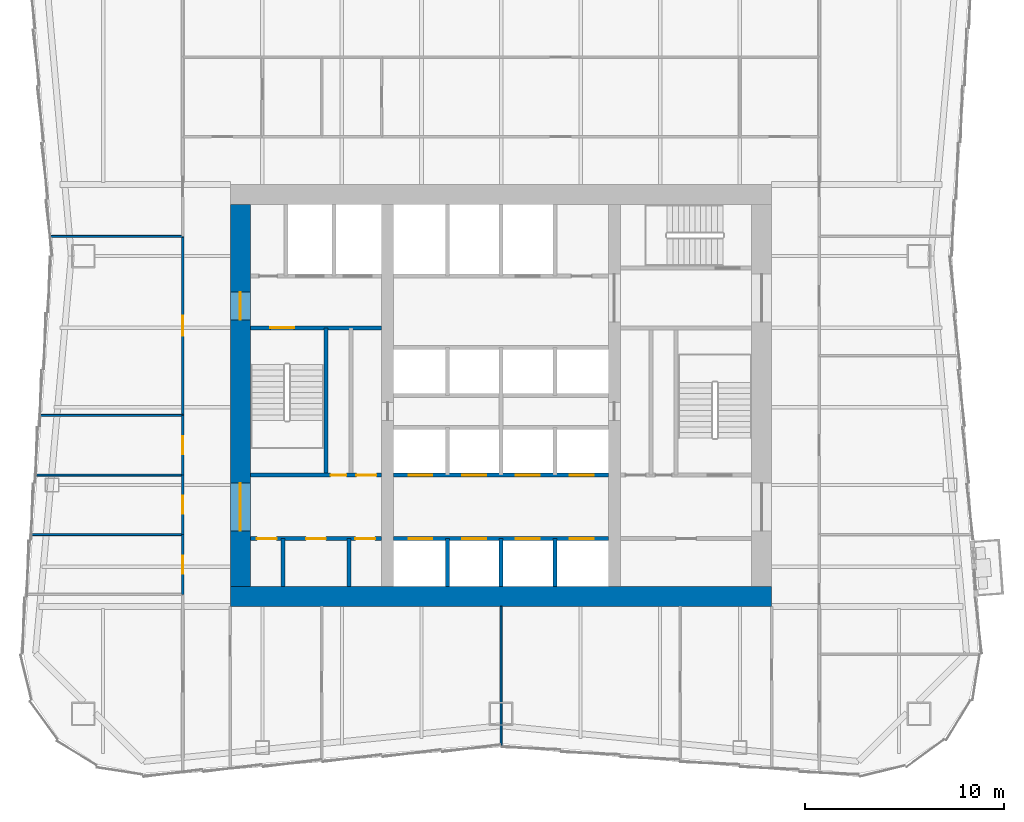
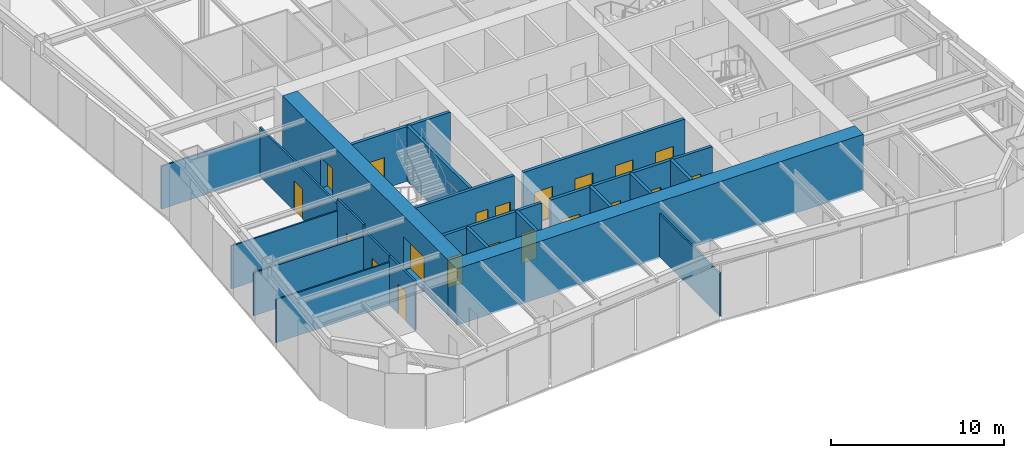
# One storey, part 4 of 9: 22 walls, 20 doors, 20 openings.
"""IFC4 building model written with IfcOpenShell, lengths in metres."""

from ifc_helpers import new_model, si_unit, direction, frame, frame_2d, origin, place, context, subcontext, project, spatial, rectangle, extrude, material, layer, layer_set, type_object, element, fill, save


model = new_model("IFC4")

# Units and contexts
model_context = context("Model", 3, precision=1e-05, world=origin(), true_north=direction((0.0, 1.0)))
body_context = subcontext(model_context, "Body", "Model", "MODEL_VIEW")
ifc_project = project(units=[si_unit("LENGTHUNIT", "METRE"), si_unit("AREAUNIT", "SQUARE_METRE"), si_unit("VOLUMEUNIT", "CUBIC_METRE"), si_unit("PLANEANGLEUNIT", "RADIAN"), si_unit("MASSUNIT", "GRAM", prefix="KILO")], contexts=[model_context])

# Site, building, storey
site_placement = place(None, origin())
site = spatial("IfcSite", under=ifc_project, at=site_placement, CompositionType="ELEMENT")
building_placement = place(site_placement, origin())
building = spatial("IfcBuilding", under=site, at=building_placement, Name="Verdant Reach Tower", CompositionType="ELEMENT")
storey_placement = place(building_placement, frame((0.0, 0.0, 130.0)))
storey = spatial("IfcBuildingStorey", under=building, at=storey_placement, Name="L29", CompositionType="ELEMENT", Elevation=130.0)

# Wall, openings, doors
ifc_material_1 = material(Name="Gypsum board on steel studs", Category="steel")
ifc_layer_1 = layer(ifc_material_1, 0.199951171875)
ifc_layer_set_1 = layer_set([ifc_layer_1], Name="CO-WALL-ROOM")
wall_type_1 = type_object("IfcWallType", Name="CO-WALL-ROOM", PredefinedType="PARTITIONING", material=ifc_layer_set_1)
wall_1_placement = place(storey_placement, frame((-12.60009765625, 20.800048828125, 0.0), z_axis=(0.0, 0.0, 1.0), x_axis=(1.0, 0.0, 0.0)))
wall_1 = element("IfcWall", 1, at=wall_1_placement, inside=storey, type_object=wall_type_1, Name="Core partition, L29", PredefinedType="PARTITIONING", context=body_context, shape_type="SweptSolid", body=[
    extrude(rectangle(XDim=6.60009765625, YDim=0.199951171875, at=frame_2d((3.300048828125, 0.0))), origin(), (0.0, 0.0, 1.0), 3.8701171875),
])
opening_1_placement = place(wall_1_placement, frame((0.324951171875, 0.0, 0.0)))
opening_1 = element("IfcOpeningElement", 2, at=opening_1_placement, cuts=wall_1, Name="Opening CD", PredefinedType="OPENING", context=body_context, shape_type="SweptSolid", body=[
    extrude(rectangle(XDim=1.0, YDim=2.10009765625, at=frame_2d((0.5, 1.050048828125))), frame((0.0, 0.10986328125, 0.0), z_axis=(0.0, -1.0, 0.0), x_axis=(1.0, 0.0, 0.0)), (0.0, 0.0, 1.0), 0.219970703125),
])
opening_2_placement = place(wall_1_placement, frame((2.800048828125, 0.0, 0.0)))
opening_2 = element("IfcOpeningElement", 3, at=opening_2_placement, cuts=wall_1, Name="Opening CD", PredefinedType="OPENING", context=body_context, shape_type="SweptSolid", body=[
    extrude(rectangle(XDim=1.0, YDim=2.10009765625, at=frame_2d((0.5, 1.050048828125))), frame((0.0, 0.10986328125, 0.0), z_axis=(0.0, -1.0, 0.0), x_axis=(1.0, 0.0, 0.0)), (0.0, 0.0, 1.0), 0.219970703125),
])
opening_3_placement = place(wall_1_placement, frame((5.27490234375, 0.0, 0.0)))
opening_3 = element("IfcOpeningElement", 4, at=opening_3_placement, cuts=wall_1, Name="Opening CD", PredefinedType="OPENING", context=body_context, shape_type="SweptSolid", body=[
    extrude(rectangle(XDim=1.0, YDim=2.10009765625, at=frame_2d((0.5, 1.050048828125))), frame((0.0, 0.10986328125, 0.0), z_axis=(0.0, -1.0, 0.0), x_axis=(1.0, 0.0, 0.0)), (0.0, 0.0, 1.0), 0.219970703125),
])
ifc_material_2 = material(Name="Timber", Category="wood")
door_type_1 = type_object("IfcDoorType", Name="CO-DOOR-ROOM", OperationType="NOTDEFINED", PredefinedType="DOOR", material=ifc_material_2)
door_1_placement = place(opening_1_placement, origin())
door_1 = element("IfcDoor", 5, at=door_1_placement, inside=storey, type_object=door_type_1, Name="Core room door, L29", OperationType="SINGLE_SWING_RIGHT", OverallHeight=2.10009765625, OverallWidth=1.0, PredefinedType="DOOR", context=body_context, shape_type="SweptSolid", body=[
    extrude(rectangle(XDim=1.0, YDim=2.10009765625, at=frame_2d((0.5, 1.050048828125))), frame((0.0, 0.02490234375, 0.0), z_axis=(0.0, -1.0, 0.0), x_axis=(1.0, 0.0, 0.0)), (0.0, 0.0, 1.0), 0.050048828125),
])
fill(opening_1, door_1)
door_2_placement = place(opening_2_placement, origin())
door_2 = element("IfcDoor", 6, at=door_2_placement, inside=storey, type_object=door_type_1, Name="Core room door, L29", OperationType="SINGLE_SWING_RIGHT", OverallHeight=2.10009765625, OverallWidth=1.0, PredefinedType="DOOR", context=body_context, shape_type="SweptSolid", body=[
    extrude(rectangle(XDim=1.0, YDim=2.10009765625, at=frame_2d((0.5, 1.050048828125))), frame((0.0, 0.02490234375, 0.0), z_axis=(0.0, -1.0, 0.0), x_axis=(1.0, 0.0, 0.0)), (0.0, 0.0, 1.0), 0.050048828125),
])
fill(opening_2, door_2)
door_3_placement = place(opening_3_placement, origin())
door_3 = element("IfcDoor", 7, at=door_3_placement, inside=storey, type_object=door_type_1, Name="Core room door, L29", OperationType="SINGLE_SWING_RIGHT", OverallHeight=2.10009765625, OverallWidth=1.0, PredefinedType="DOOR", context=body_context, shape_type="SweptSolid", body=[
    extrude(rectangle(XDim=1.0, YDim=2.10009765625, at=frame_2d((0.5, 1.050048828125))), frame((0.0, 0.02490234375, 0.0), z_axis=(0.0, -1.0, 0.0), x_axis=(1.0, 0.0, 0.0)), (0.0, 0.0, 1.0), 0.050048828125),
])
fill(opening_3, door_3)

# Walls
for number, where, z_axis, x_axis, name in (
    (8, (-10.949951171875, 18.39990234375, 0.0), (0.0, 0.0, 1.0), (0.0, 1.0, 0.0), "Core partition, L29"),
    (9, (-7.64990234375, 18.39990234375, 0.0), (0.0, 0.0, 1.0), (0.0, 1.0, 0.0), "Core partition, L29"),
):
    element("IfcWall", number, at=place(storey_placement, frame(where, z_axis=z_axis, x_axis=x_axis)), inside=storey, type_object=wall_type_1, Name=name, PredefinedType="PARTITIONING", context=body_context, shape_type="SweptSolid", body=[
        extrude(rectangle(XDim=2.400146484375, YDim=0.199951171875, at=frame_2d((1.2001953125, 0.0))), origin(), (0.0, 0.0, 1.0), 3.8701171875),
    ])

# Wall, openings, doors
ifc_material_3 = material(Name="Concrete C40/50", Category="concrete")
ifc_layer_2 = layer(ifc_material_3, 0.199951171875)
ifc_layer_set_2 = layer_set([ifc_layer_2], Name="CO-WALL-SHAFT")
wall_type_2 = type_object("IfcWallType", Name="CO-WALL-SHAFT", PredefinedType="PARTITIONING", material=ifc_layer_set_2)
wall_2_placement = place(storey_placement, frame((-5.39990234375, 20.800048828125, 0.0), z_axis=(0.0, 0.0, 1.0), x_axis=(1.0, 0.0, 0.0)))
wall_2 = element("IfcWall", 10, at=wall_2_placement, inside=storey, type_object=wall_type_2, Name="Lift shaft wall, L29", PredefinedType="PARTITIONING", context=body_context, shape_type="SweptSolid", body=[
    extrude(rectangle(XDim=10.7998046875, YDim=0.199951171875, at=frame_2d((5.39990234375, 0.0))), origin(), (0.0, 0.0, 1.0), 3.8701171875),
])
opening_4_placement = place(wall_2_placement, frame((0.75, 0.0, 0.0)))
opening_4 = element("IfcOpeningElement", 11, at=opening_4_placement, cuts=wall_2, Name="Opening LD-A1", PredefinedType="OPENING", context=body_context, shape_type="SweptSolid", body=[
    extrude(rectangle(XDim=1.199951171875, YDim=2.199951171875, at=frame_2d((0.60009765625, 1.10009765625))), frame((0.0, 0.10986328125, 0.0), z_axis=(0.0, -1.0, 0.0), x_axis=(1.0, 0.0, 0.0)), (0.0, 0.0, 1.0), 0.219970703125),
])
opening_5_placement = place(wall_2_placement, frame((3.449951171875, 0.0, 0.0)))
opening_5 = element("IfcOpeningElement", 12, at=opening_5_placement, cuts=wall_2, Name="Opening LD-A2", PredefinedType="OPENING", context=body_context, shape_type="SweptSolid", body=[
    extrude(rectangle(XDim=1.199951171875, YDim=2.199951171875, at=frame_2d((0.60009765625, 1.10009765625))), frame((0.0, 0.10986328125, 0.0), z_axis=(0.0, -1.0, 0.0), x_axis=(1.0, 0.0, 0.0)), (0.0, 0.0, 1.0), 0.219970703125),
])
opening_6_placement = place(wall_2_placement, frame((6.14990234375, 0.0, 0.0)))
opening_6 = element("IfcOpeningElement", 13, at=opening_6_placement, cuts=wall_2, Name="Opening LD-A3", PredefinedType="OPENING", context=body_context, shape_type="SweptSolid", body=[
    extrude(rectangle(XDim=1.199951171875, YDim=2.199951171875, at=frame_2d((0.60009765625, 1.10009765625))), frame((0.0, 0.10986328125, 0.0), z_axis=(0.0, -1.0, 0.0), x_axis=(1.0, 0.0, 0.0)), (0.0, 0.0, 1.0), 0.219970703125),
])
opening_7_placement = place(wall_2_placement, frame((8.85009765625, 0.0, 0.0)))
opening_7 = element("IfcOpeningElement", 14, at=opening_7_placement, cuts=wall_2, Name="Opening LD-A4", PredefinedType="OPENING", context=body_context, shape_type="SweptSolid", body=[
    extrude(rectangle(XDim=1.199951171875, YDim=2.199951171875, at=frame_2d((0.60009765625, 1.10009765625))), frame((0.0, 0.10986328125, 0.0), z_axis=(0.0, -1.0, 0.0), x_axis=(1.0, 0.0, 0.0)), (0.0, 0.0, 1.0), 0.219970703125),
])
ifc_material_4 = material(Name="Stainless steel", Category="steel")
door_type_2 = type_object("IfcDoorType", Name="CO-DOOR-LANDING", OperationType="SLIDING_TO_LEFT", PredefinedType="DOOR", material=ifc_material_4)
door_4_placement = place(opening_4_placement, origin())
door_4 = element("IfcDoor", 15, at=door_4_placement, inside=storey, type_object=door_type_2, Name="Landing door A1, L29", OperationType="SLIDING_TO_LEFT", OverallHeight=2.199951171875, OverallWidth=1.199951171875, PredefinedType="DOOR", context=body_context, shape_type="SweptSolid", body=[
    extrude(rectangle(XDim=1.199951171875, YDim=2.199951171875, at=frame_2d((0.60009765625, 1.10009765625))), frame((0.0, 0.02490234375, 0.0), z_axis=(0.0, -1.0, 0.0), x_axis=(1.0, 0.0, 0.0)), (0.0, 0.0, 1.0), 0.050048828125),
])
fill(opening_4, door_4)
door_5_placement = place(opening_5_placement, origin())
door_5 = element("IfcDoor", 16, at=door_5_placement, inside=storey, type_object=door_type_2, Name="Landing door A2, L29", OperationType="SLIDING_TO_LEFT", OverallHeight=2.199951171875, OverallWidth=1.199951171875, PredefinedType="DOOR", context=body_context, shape_type="SweptSolid", body=[
    extrude(rectangle(XDim=1.199951171875, YDim=2.199951171875, at=frame_2d((0.60009765625, 1.10009765625))), frame((0.0, 0.02490234375, 0.0), z_axis=(0.0, -1.0, 0.0), x_axis=(1.0, 0.0, 0.0)), (0.0, 0.0, 1.0), 0.050048828125),
])
fill(opening_5, door_5)
door_6_placement = place(opening_6_placement, origin())
door_6 = element("IfcDoor", 17, at=door_6_placement, inside=storey, type_object=door_type_2, Name="Landing door A3, L29", OperationType="SLIDING_TO_LEFT", OverallHeight=2.199951171875, OverallWidth=1.199951171875, PredefinedType="DOOR", context=body_context, shape_type="SweptSolid", body=[
    extrude(rectangle(XDim=1.199951171875, YDim=2.199951171875, at=frame_2d((0.60009765625, 1.10009765625))), frame((0.0, 0.02490234375, 0.0), z_axis=(0.0, -1.0, 0.0), x_axis=(1.0, 0.0, 0.0)), (0.0, 0.0, 1.0), 0.050048828125),
])
fill(opening_6, door_6)
door_7_placement = place(opening_7_placement, origin())
door_7 = element("IfcDoor", 18, at=door_7_placement, inside=storey, type_object=door_type_2, Name="Landing door A4, L29", OperationType="SLIDING_TO_LEFT", OverallHeight=2.199951171875, OverallWidth=1.199951171875, PredefinedType="DOOR", context=body_context, shape_type="SweptSolid", body=[
    extrude(rectangle(XDim=1.199951171875, YDim=2.199951171875, at=frame_2d((0.60009765625, 1.10009765625))), frame((0.0, 0.02490234375, 0.0), z_axis=(0.0, -1.0, 0.0), x_axis=(1.0, 0.0, 0.0)), (0.0, 0.0, 1.0), 0.050048828125),
])
fill(opening_7, door_7)

wall_3_placement = place(storey_placement, frame((-5.39990234375, 24.0, 0.0), z_axis=(0.0, 0.0, 1.0), x_axis=(1.0, 0.0, 0.0)))
wall_3 = element("IfcWall", 19, at=wall_3_placement, inside=storey, type_object=wall_type_2, Name="Lift shaft wall, L29", PredefinedType="PARTITIONING", context=body_context, shape_type="SweptSolid", body=[
    extrude(rectangle(XDim=10.7998046875, YDim=0.199951171875, at=frame_2d((5.39990234375, 0.0))), origin(), (0.0, 0.0, 1.0), 3.8701171875),
])
opening_8_placement = place(wall_3_placement, frame((0.75, 0.0, 0.0)))
opening_8 = element("IfcOpeningElement", 20, at=opening_8_placement, cuts=wall_3, Name="Opening LD-A5", PredefinedType="OPENING", context=body_context, shape_type="SweptSolid", body=[
    extrude(rectangle(XDim=1.199951171875, YDim=2.199951171875, at=frame_2d((0.60009765625, 1.10009765625))), frame((0.0, 0.10986328125, 0.0), z_axis=(0.0, -1.0, 0.0), x_axis=(1.0, 0.0, 0.0)), (0.0, 0.0, 1.0), 0.219970703125),
])
opening_9_placement = place(wall_3_placement, frame((3.449951171875, 0.0, 0.0)))
opening_9 = element("IfcOpeningElement", 21, at=opening_9_placement, cuts=wall_3, Name="Opening LD-A6", PredefinedType="OPENING", context=body_context, shape_type="SweptSolid", body=[
    extrude(rectangle(XDim=1.199951171875, YDim=2.199951171875, at=frame_2d((0.60009765625, 1.10009765625))), frame((0.0, 0.10986328125, 0.0), z_axis=(0.0, -1.0, 0.0), x_axis=(1.0, 0.0, 0.0)), (0.0, 0.0, 1.0), 0.219970703125),
])
opening_10_placement = place(wall_3_placement, frame((6.14990234375, 0.0, 0.0)))
opening_10 = element("IfcOpeningElement", 22, at=opening_10_placement, cuts=wall_3, Name="Opening LD-A7", PredefinedType="OPENING", context=body_context, shape_type="SweptSolid", body=[
    extrude(rectangle(XDim=1.199951171875, YDim=2.199951171875, at=frame_2d((0.60009765625, 1.10009765625))), frame((0.0, 0.10986328125, 0.0), z_axis=(0.0, -1.0, 0.0), x_axis=(1.0, 0.0, 0.0)), (0.0, 0.0, 1.0), 0.219970703125),
])
opening_11_placement = place(wall_3_placement, frame((8.85009765625, 0.0, 0.0)))
opening_11 = element("IfcOpeningElement", 23, at=opening_11_placement, cuts=wall_3, Name="Opening LD-A8", PredefinedType="OPENING", context=body_context, shape_type="SweptSolid", body=[
    extrude(rectangle(XDim=1.199951171875, YDim=2.199951171875, at=frame_2d((0.60009765625, 1.10009765625))), frame((0.0, 0.10986328125, 0.0), z_axis=(0.0, -1.0, 0.0), x_axis=(1.0, 0.0, 0.0)), (0.0, 0.0, 1.0), 0.219970703125),
])
door_8_placement = place(opening_8_placement, origin())
door_8 = element("IfcDoor", 24, at=door_8_placement, inside=storey, type_object=door_type_2, Name="Landing door A5, L29", OperationType="SLIDING_TO_LEFT", OverallHeight=2.199951171875, OverallWidth=1.199951171875, PredefinedType="DOOR", context=body_context, shape_type="SweptSolid", body=[
    extrude(rectangle(XDim=1.199951171875, YDim=2.199951171875, at=frame_2d((0.60009765625, 1.10009765625))), frame((0.0, 0.02490234375, 0.0), z_axis=(0.0, -1.0, 0.0), x_axis=(1.0, 0.0, 0.0)), (0.0, 0.0, 1.0), 0.050048828125),
])
fill(opening_8, door_8)
door_9_placement = place(opening_9_placement, origin())
door_9 = element("IfcDoor", 25, at=door_9_placement, inside=storey, type_object=door_type_2, Name="Landing door A6, L29", OperationType="SLIDING_TO_LEFT", OverallHeight=2.199951171875, OverallWidth=1.199951171875, PredefinedType="DOOR", context=body_context, shape_type="SweptSolid", body=[
    extrude(rectangle(XDim=1.199951171875, YDim=2.199951171875, at=frame_2d((0.60009765625, 1.10009765625))), frame((0.0, 0.02490234375, 0.0), z_axis=(0.0, -1.0, 0.0), x_axis=(1.0, 0.0, 0.0)), (0.0, 0.0, 1.0), 0.050048828125),
])
fill(opening_9, door_9)
door_10_placement = place(opening_10_placement, origin())
door_10 = element("IfcDoor", 26, at=door_10_placement, inside=storey, type_object=door_type_2, Name="Landing door A7, L29", OperationType="SLIDING_TO_LEFT", OverallHeight=2.199951171875, OverallWidth=1.199951171875, PredefinedType="DOOR", context=body_context, shape_type="SweptSolid", body=[
    extrude(rectangle(XDim=1.199951171875, YDim=2.199951171875, at=frame_2d((0.60009765625, 1.10009765625))), frame((0.0, 0.02490234375, 0.0), z_axis=(0.0, -1.0, 0.0), x_axis=(1.0, 0.0, 0.0)), (0.0, 0.0, 1.0), 0.050048828125),
])
fill(opening_10, door_10)
door_11_placement = place(opening_11_placement, origin())
door_11 = element("IfcDoor", 27, at=door_11_placement, inside=storey, type_object=door_type_2, Name="Landing door A8, L29", OperationType="SLIDING_TO_LEFT", OverallHeight=2.199951171875, OverallWidth=1.199951171875, PredefinedType="DOOR", context=body_context, shape_type="SweptSolid", body=[
    extrude(rectangle(XDim=1.199951171875, YDim=2.199951171875, at=frame_2d((0.60009765625, 1.10009765625))), frame((0.0, 0.02490234375, 0.0), z_axis=(0.0, -1.0, 0.0), x_axis=(1.0, 0.0, 0.0)), (0.0, 0.0, 1.0), 0.050048828125),
])
fill(opening_11, door_11)

# Walls
for number, where, z_axis, x_axis, name in (
    (28, (-2.699951171875, 18.39990234375, 0.0), (0.0, 0.0, 1.0), (0.0, 1.0, 0.0), "Lift shaft wall, L29"),
    (29, (0.0, 18.39990234375, 0.0), (0.0, 0.0, 1.0), (0.0, 1.0, 0.0), "Lift shaft wall, L29"),
    (30, (2.699951171875, 18.39990234375, 0.0), (0.0, 0.0, 1.0), (0.0, 1.0, 0.0), "Lift shaft wall, L29"),
):
    element("IfcWall", number, at=place(storey_placement, frame(where, z_axis=z_axis, x_axis=x_axis)), inside=storey, type_object=wall_type_2, Name=name, PredefinedType="PARTITIONING", context=body_context, shape_type="SweptSolid", body=[
        extrude(rectangle(XDim=2.400146484375, YDim=0.199951171875, at=frame_2d((1.2001953125, 0.0))), origin(), (0.0, 0.0, 1.0), 3.8701171875),
    ])

# Wall, openings, doors
ifc_layer_3 = layer(ifc_material_3, 0.199951171875)
ifc_layer_set_3 = layer_set([ifc_layer_3], Name="CO-WALL-STAIR")
wall_type_3 = type_object("IfcWallType", Name="CO-WALL-STAIR", PredefinedType="PARTITIONING", material=ifc_layer_set_3)
wall_4_placement = place(storey_placement, frame((-12.60009765625, 24.0, 0.0), z_axis=(0.0, 0.0, 1.0), x_axis=(1.0, 0.0, 0.0)))
wall_4 = element("IfcWall", 31, at=wall_4_placement, inside=storey, type_object=wall_type_3, Name="Stair enclosure wall, L29", PredefinedType="PARTITIONING", context=body_context, shape_type="SweptSolid", body=[
    extrude(rectangle(XDim=6.60009765625, YDim=0.199951171875, at=frame_2d((3.300048828125, 0.0))), origin(), (0.0, 0.0, 1.0), 3.8701171875),
])
opening_12_placement = place(wall_4_placement, frame((4.030029296875, 0.0, 0.0)))
opening_12 = element("IfcOpeningElement", 32, at=opening_12_placement, cuts=wall_4, Name="Opening CDN", PredefinedType="OPENING", context=body_context, shape_type="SweptSolid", body=[
    extrude(rectangle(XDim=0.800048828125, YDim=2.10009765625, at=frame_2d((0.39990234375, 1.050048828125))), frame((0.0, 0.10986328125, 0.0), z_axis=(0.0, -1.0, 0.0), x_axis=(1.0, 0.0, 0.0)), (0.0, 0.0, 1.0), 0.219970703125),
])
opening_13_placement = place(wall_4_placement, frame((5.330078125, 0.0, 0.0)))
opening_13 = element("IfcOpeningElement", 33, at=opening_13_placement, cuts=wall_4, Name="Opening CD", PredefinedType="OPENING", context=body_context, shape_type="SweptSolid", body=[
    extrude(rectangle(XDim=1.0, YDim=2.10009765625, at=frame_2d((0.5, 1.050048828125))), frame((0.0, 0.10986328125, 0.0), z_axis=(0.0, -1.0, 0.0), x_axis=(1.0, 0.0, 0.0)), (0.0, 0.0, 1.0), 0.219970703125),
])
door_12_placement = place(opening_13_placement, origin())
door_12 = element("IfcDoor", 34, at=door_12_placement, inside=storey, type_object=door_type_1, Name="Core room door, L29", OperationType="SINGLE_SWING_LEFT", OverallHeight=2.10009765625, OverallWidth=1.0, PredefinedType="DOOR", context=body_context, shape_type="SweptSolid", body=[
    extrude(rectangle(XDim=1.0, YDim=2.10009765625, at=frame_2d((0.5, 1.050048828125))), frame((0.0, 0.02490234375, 0.0), z_axis=(0.0, -1.0, 0.0), x_axis=(1.0, 0.0, 0.0)), (0.0, 0.0, 1.0), 0.050048828125),
])
fill(opening_13, door_12)
door_type_3 = type_object("IfcDoorType", Name="CO-DOOR-ROOM-NARROW", OperationType="NOTDEFINED", PredefinedType="DOOR", material=ifc_material_2)
door_13_placement = place(opening_12_placement, origin())
door_13 = element("IfcDoor", 35, at=door_13_placement, inside=storey, type_object=door_type_3, Name="Core room door, L29", OperationType="SINGLE_SWING_RIGHT", OverallHeight=2.10009765625, OverallWidth=0.800048828125, PredefinedType="DOOR", context=body_context, shape_type="SweptSolid", body=[
    extrude(rectangle(XDim=0.800048828125, YDim=2.10009765625, at=frame_2d((0.39990234375, 1.050048828125))), frame((0.0, 0.02490234375, 0.0), z_axis=(0.0, -1.0, 0.0), x_axis=(1.0, 0.0, 0.0)), (0.0, 0.0, 1.0), 0.050048828125),
])
fill(opening_12, door_13)

# Wall, opening, door
wall_5_placement = place(storey_placement, frame((-12.60009765625, 31.39990234375, 0.0), z_axis=(0.0, 0.0, 1.0), x_axis=(1.0, 0.0, 0.0)))
wall_5 = element("IfcWall", 36, at=wall_5_placement, inside=storey, type_object=wall_type_3, Name="Stair enclosure wall, L29", PredefinedType="PARTITIONING", context=body_context, shape_type="SweptSolid", body=[
    extrude(rectangle(XDim=6.60009765625, YDim=0.199951171875, at=frame_2d((3.300048828125, 0.0))), origin(), (0.0, 0.0, 1.0), 3.8701171875),
])
opening_14_placement = place(wall_5_placement, frame((1.0, 0.0, 0.0)))
opening_14 = element("IfcOpeningElement", 37, at=opening_14_placement, cuts=wall_5, Name="Opening SD", PredefinedType="OPENING", context=body_context, shape_type="SweptSolid", body=[
    extrude(rectangle(XDim=1.199951171875, YDim=2.199951171875, at=frame_2d((0.60009765625, 1.10009765625))), frame((0.0, 0.10986328125, 0.0), z_axis=(0.0, -1.0, 0.0), x_axis=(1.0, 0.0, 0.0)), (0.0, 0.0, 1.0), 0.219970703125),
])
ifc_material_5 = material(Name="Steel", Category="steel")
door_type_4 = type_object("IfcDoorType", Name="CO-DOOR-STAIR", OperationType="NOTDEFINED", PredefinedType="DOOR", material=ifc_material_5)
door_14_placement = place(opening_14_placement, origin())
door_14 = element("IfcDoor", 38, at=door_14_placement, inside=storey, type_object=door_type_4, Name="Stair door, L29", OperationType="SINGLE_SWING_LEFT", OverallHeight=2.199951171875, OverallWidth=1.199951171875, PredefinedType="DOOR", context=body_context, shape_type="SweptSolid", body=[
    extrude(rectangle(XDim=1.199951171875, YDim=2.199951171875, at=frame_2d((0.60009765625, 1.10009765625))), frame((0.0, 0.02490234375, 0.0), z_axis=(0.0, -1.0, 0.0), x_axis=(1.0, 0.0, 0.0)), (0.0, 0.0, 1.0), 0.050048828125),
])
fill(opening_14, door_14)

# Walls
wall_6_placement = place(storey_placement, frame((-8.800048828125, 24.0, 0.0), z_axis=(0.0, 0.0, 1.0), x_axis=(0.0, 1.0, 0.0)))
element("IfcWall", 39, at=wall_6_placement, inside=storey, type_object=wall_type_3, Name="Stair enclosure wall, L29", PredefinedType="PARTITIONING", context=body_context, shape_type="SweptSolid", body=[
    extrude(rectangle(XDim=7.39990234375, YDim=0.199951171875, at=frame_2d((3.699951171875, 0.0))), origin(), (0.0, 0.0, 1.0), 3.8701171875),
])
ifc_layer_4 = layer(ifc_material_1, 0.10009765625)
ifc_layer_set_4 = layer_set([ifc_layer_4], Name="FL-W1 Partition 100")
wall_type_4 = type_object("IfcWallType", Name="FL-W1 Partition 100", PredefinedType="PARTITIONING", material=ifc_layer_set_4)
wall_7_placement = place(storey_placement, frame((-16.0, 21.0, 0.0), z_axis=(0.0, 0.0, 1.0), x_axis=(-1.0, 0.0, 0.0)))
element("IfcWall", 40, at=wall_7_placement, inside=storey, type_object=wall_type_4, Name="Partition 29.20", PredefinedType="PARTITIONING", context=body_context, shape_type="SweptSolid", body=[
    extrude(rectangle(XDim=7.6298828125, YDim=0.10009765625, at=frame_2d((3.81494140625, 0.0))), origin(), (0.0, 0.0, 1.0), 3.0400390625),
])
wall_8_placement = place(storey_placement, frame((-16.0, 24.0, 0.0), z_axis=(0.0, 0.0, 1.0), x_axis=(-1.0, 0.0, 0.0)))
element("IfcWall", 41, at=wall_8_placement, inside=storey, type_object=wall_type_4, Name="Partition 29.21", PredefinedType="PARTITIONING", context=body_context, shape_type="SweptSolid", body=[
    extrude(rectangle(XDim=7.405029296875, YDim=0.10009765625, at=frame_2d((3.70263671875, 0.0))), origin(), (0.0, 0.0, 1.0), 3.0400390625),
])
wall_9_placement = place(storey_placement, frame((-16.0, 27.0, 0.0), z_axis=(0.0, 0.0, 1.0), x_axis=(-1.0, 0.0, 0.0)))
element("IfcWall", 42, at=wall_9_placement, inside=storey, type_object=wall_type_4, Name="Partition 29.22", PredefinedType="PARTITIONING", context=body_context, shape_type="SweptSolid", body=[
    extrude(rectangle(XDim=7.179931640625, YDim=0.10009765625, at=frame_2d((3.58984375, 0.0))), origin(), (0.0, 0.0, 1.0), 3.0400390625),
])
wall_10_placement = place(storey_placement, frame((-16.0, 36.0, 0.0), z_axis=(0.0, 0.0, 1.0), x_axis=(-1.0, 0.0, 0.0)))
element("IfcWall", 43, at=wall_10_placement, inside=storey, type_object=wall_type_4, Name="Partition 29.23", PredefinedType="PARTITIONING", context=body_context, shape_type="SweptSolid", body=[
    extrude(rectangle(XDim=6.655029296875, YDim=0.10009765625, at=frame_2d((3.32763671875, 0.0))), origin(), (0.0, 0.0, 1.0), 3.0400390625),
])
wall_11_placement = place(storey_placement, frame((0.0, 10.419921875, 0.0), z_axis=(0.0, 0.0, 1.0), x_axis=(0.0, 1.0, 0.0)))
element("IfcWall", 44, at=wall_11_placement, inside=storey, type_object=wall_type_4, Name="Partition 29.35", PredefinedType="PARTITIONING", context=body_context, shape_type="SweptSolid", body=[
    extrude(rectangle(XDim=6.97998046875, YDim=0.10009765625, at=frame_2d((3.489990234375, 0.0))), origin(), (0.0, 0.0, 1.0), 3.0400390625),
])

# Wall, opening, door
ifc_material_6 = material(Name="Gypsum board on steel studs, fire rated", Category="steel")
ifc_layer_5 = layer(ifc_material_6, 0.125)
ifc_layer_set_5 = layer_set([ifc_layer_5], Name="FL-W2 Corridor wall 125")
wall_type_5 = type_object("IfcWallType", Name="FL-W2 Corridor wall 125", PredefinedType="PARTITIONING", material=ifc_layer_set_5)
wall_12_placement = place(storey_placement, frame((-16.0, 18.0, 0.0), z_axis=(0.0, 0.0, 1.0), x_axis=(0.0, 1.0, 0.0)))
wall_12 = element("IfcWall", 45, at=wall_12_placement, inside=storey, type_object=wall_type_5, Name="Partition 29.02", PredefinedType="PARTITIONING", context=body_context, shape_type="SweptSolid", body=[
    extrude(rectangle(XDim=3.0, YDim=0.125, at=frame_2d((1.5, 0.0))), origin(), (0.0, 0.0, 1.0), 3.47998046875),
])
opening_15_placement = place(wall_12_placement, frame((1.050048828125, 0.0, 0.0)))
opening_15 = element("IfcOpeningElement", 46, at=opening_15_placement, cuts=wall_12, Name="Opening D1", PredefinedType="OPENING", context=body_context, shape_type="SweptSolid", body=[
    extrude(rectangle(XDim=0.89990234375, YDim=2.10009765625, at=frame_2d((0.449951171875, 1.050048828125))), frame((0.0, 0.072509765625, 0.0), z_axis=(0.0, -1.0, 0.0), x_axis=(1.0, 0.0, 0.0)), (0.0, 0.0, 1.0), 0.14501953125),
])
ifc_material_7 = material(Name="Painted timber door leaf", Category="wood")
door_type_5 = type_object("IfcDoorType", Name="FL-D1 Door 900x2100", OperationType="NOTDEFINED", PredefinedType="DOOR", material=ifc_material_7)
door_15_placement = place(opening_15_placement, origin())
door_15 = element("IfcDoor", 47, at=door_15_placement, inside=storey, type_object=door_type_5, Name="Door 29-002", OperationType="SINGLE_SWING_RIGHT", OverallHeight=2.10009765625, OverallWidth=0.89990234375, PredefinedType="DOOR", context=body_context, shape_type="SweptSolid", body=[
    extrude(rectangle(XDim=0.89990234375, YDim=2.10009765625, at=frame_2d((0.449951171875, 1.050048828125))), frame((0.0, 0.02490234375, 0.0), z_axis=(0.0, -1.0, 0.0), x_axis=(1.0, 0.0, 0.0)), (0.0, 0.0, 1.0), 0.050048828125),
])
fill(opening_15, door_15)

wall_13_placement = place(storey_placement, frame((-16.0, 21.0, 0.0), z_axis=(0.0, 0.0, 1.0), x_axis=(0.0, 1.0, 0.0)))
wall_13 = element("IfcWall", 48, at=wall_13_placement, inside=storey, type_object=wall_type_5, Name="Partition 29.03", PredefinedType="PARTITIONING", context=body_context, shape_type="SweptSolid", body=[
    extrude(rectangle(XDim=3.0, YDim=0.125, at=frame_2d((1.5, 0.0))), origin(), (0.0, 0.0, 1.0), 3.47998046875),
])
opening_16_placement = place(wall_13_placement, frame((1.050048828125, 0.0, 0.0)))
opening_16 = element("IfcOpeningElement", 49, at=opening_16_placement, cuts=wall_13, Name="Opening D1", PredefinedType="OPENING", context=body_context, shape_type="SweptSolid", body=[
    extrude(rectangle(XDim=0.89990234375, YDim=2.10009765625, at=frame_2d((0.449951171875, 1.050048828125))), frame((0.0, 0.072509765625, 0.0), z_axis=(0.0, -1.0, 0.0), x_axis=(1.0, 0.0, 0.0)), (0.0, 0.0, 1.0), 0.14501953125),
])
door_16_placement = place(opening_16_placement, origin())
door_16 = element("IfcDoor", 50, at=door_16_placement, inside=storey, type_object=door_type_5, Name="Door 29-003", OperationType="SINGLE_SWING_LEFT", OverallHeight=2.10009765625, OverallWidth=0.89990234375, PredefinedType="DOOR", context=body_context, shape_type="SweptSolid", body=[
    extrude(rectangle(XDim=0.89990234375, YDim=2.10009765625, at=frame_2d((0.449951171875, 1.050048828125))), frame((0.0, 0.02490234375, 0.0), z_axis=(0.0, -1.0, 0.0), x_axis=(1.0, 0.0, 0.0)), (0.0, 0.0, 1.0), 0.050048828125),
])
fill(opening_16, door_16)

wall_14_placement = place(storey_placement, frame((-16.0, 24.0, 0.0), z_axis=(0.0, 0.0, 1.0), x_axis=(0.0, 1.0, 0.0)))
wall_14 = element("IfcWall", 51, at=wall_14_placement, inside=storey, type_object=wall_type_5, Name="Partition 29.04", PredefinedType="PARTITIONING", context=body_context, shape_type="SweptSolid", body=[
    extrude(rectangle(XDim=3.0, YDim=0.125, at=frame_2d((1.5, 0.0))), origin(), (0.0, 0.0, 1.0), 3.8701171875),
])
opening_17_placement = place(wall_14_placement, frame((1.050048828125, 0.0, 0.0)))
opening_17 = element("IfcOpeningElement", 52, at=opening_17_placement, cuts=wall_14, Name="Opening D1", PredefinedType="OPENING", context=body_context, shape_type="SweptSolid", body=[
    extrude(rectangle(XDim=0.89990234375, YDim=2.10009765625, at=frame_2d((0.449951171875, 1.050048828125))), frame((0.0, 0.072509765625, 0.0), z_axis=(0.0, -1.0, 0.0), x_axis=(1.0, 0.0, 0.0)), (0.0, 0.0, 1.0), 0.14501953125),
])
door_17_placement = place(opening_17_placement, origin())
door_17 = element("IfcDoor", 53, at=door_17_placement, inside=storey, type_object=door_type_5, Name="Door 29-004", OperationType="SINGLE_SWING_RIGHT", OverallHeight=2.10009765625, OverallWidth=0.89990234375, PredefinedType="DOOR", context=body_context, shape_type="SweptSolid", body=[
    extrude(rectangle(XDim=0.89990234375, YDim=2.10009765625, at=frame_2d((0.449951171875, 1.050048828125))), frame((0.0, 0.02490234375, 0.0), z_axis=(0.0, -1.0, 0.0), x_axis=(1.0, 0.0, 0.0)), (0.0, 0.0, 1.0), 0.050048828125),
])
fill(opening_17, door_17)

wall_15_placement = place(storey_placement, frame((-16.0, 27.0, 0.0), z_axis=(0.0, 0.0, 1.0), x_axis=(0.0, 1.0, 0.0)))
wall_15 = element("IfcWall", 54, at=wall_15_placement, inside=storey, type_object=wall_type_5, Name="Partition 29.05", PredefinedType="PARTITIONING", context=body_context, shape_type="SweptSolid", body=[
    extrude(rectangle(XDim=9.0, YDim=0.125, at=frame_2d((4.5, 0.0))), origin(), (0.0, 0.0, 1.0), 3.47998046875),
])
opening_18_placement = place(wall_15_placement, frame((4.0, 0.0, 0.0)))
opening_18 = element("IfcOpeningElement", 55, at=opening_18_placement, cuts=wall_15, Name="Opening D2", PredefinedType="OPENING", context=body_context, shape_type="SweptSolid", body=[
    extrude(rectangle(XDim=1.0, YDim=2.10009765625, at=frame_2d((0.5, 1.050048828125))), frame((0.0, 0.072509765625, 0.0), z_axis=(0.0, -1.0, 0.0), x_axis=(1.0, 0.0, 0.0)), (0.0, 0.0, 1.0), 0.14501953125),
])
ifc_material_8 = material(Name="Timber door leaf, fire rated", Category="wood")
door_type_6 = type_object("IfcDoorType", Name="FL-D2 Entrance door 1000x2100 FD30", OperationType="NOTDEFINED", PredefinedType="DOOR", material=ifc_material_8)
door_18_placement = place(opening_18_placement, origin())
door_18 = element("IfcDoor", 56, at=door_18_placement, inside=storey, type_object=door_type_6, Name="Door 29-005", OperationType="SINGLE_SWING_LEFT", OverallHeight=2.10009765625, OverallWidth=1.0, PredefinedType="DOOR", context=body_context, shape_type="SweptSolid", body=[
    extrude(rectangle(XDim=1.0, YDim=2.10009765625, at=frame_2d((0.5, 1.050048828125))), frame((0.0, 0.02490234375, 0.0), z_axis=(0.0, -1.0, 0.0), x_axis=(1.0, 0.0, 0.0)), (0.0, 0.0, 1.0), 0.050048828125),
])
fill(opening_18, door_18)

# Wall
ifc_material_9 = material(Name="Concrete C70/85", Category="concrete")
ifc_layer_6 = layer(ifc_material_9, 1.0)
ifc_layer_set_6 = layer_set([ifc_layer_6], Name="ST-CORE-WALL-1000")
wall_type_6 = type_object("IfcWallType", Name="ST-CORE-WALL-1000", PredefinedType="SHEAR", material=ifc_layer_set_6)
wall_16_placement = place(storey_placement, frame((-13.60009765625, 17.89990234375, -0.1298828125), z_axis=(0.0, 0.0, 1.0), x_axis=(1.0, 0.0, 0.0)))
element("IfcWall", 57, at=wall_16_placement, inside=storey, type_object=wall_type_6, Name="Core wall S, L29", PredefinedType="SHEAR", context=body_context, shape_type="SweptSolid", body=[
    extrude(rectangle(XDim=27.2001953125, YDim=1.0, at=frame_2d((13.60009765625, 0.0))), origin(), (0.0, 0.0, 1.0), 4.0),
])

# Wall, openings, doors
wall_17_placement = place(storey_placement, frame((-13.10009765625, 18.39990234375, -0.1298828125), z_axis=(0.0, 0.0, 1.0), x_axis=(0.0, 1.0, 0.0)))
wall_17 = element("IfcWall", 58, at=wall_17_placement, inside=storey, type_object=wall_type_6, Name="Core wall W, L29", PredefinedType="SHEAR", context=body_context, shape_type="SweptSolid", body=[
    extrude(rectangle(XDim=19.2001953125, YDim=1.0, at=frame_2d((9.60009765625, 0.0))), origin(), (0.0, 0.0, 1.0), 4.0),
])
opening_19_placement = place(wall_17_placement, frame((2.800048828125, 0.0, 0.1298828125)))
opening_19 = element("IfcOpeningElement", 59, at=opening_19_placement, cuts=wall_17, Name="Opening LB", PredefinedType="OPENING", context=body_context, shape_type="SweptSolid", body=[
    extrude(rectangle(XDim=2.39990234375, YDim=2.39990234375, at=frame_2d((1.199951171875, 1.199951171875))), frame((0.0, 0.510009765625, 0.0), z_axis=(0.0, -1.0, 0.0), x_axis=(1.0, 0.0, 0.0)), (0.0, 0.0, 1.0), 1.02001953125),
])
opening_20_placement = place(wall_17_placement, frame((13.39990234375, 0.0, 0.1298828125)))
opening_20 = element("IfcOpeningElement", 60, at=opening_20_placement, cuts=wall_17, Name="Opening FL", PredefinedType="OPENING", context=body_context, shape_type="SweptSolid", body=[
    extrude(rectangle(XDim=1.39990234375, YDim=2.199951171875, at=frame_2d((0.699951171875, 1.10009765625))), frame((0.0, 0.510009765625, 0.0), z_axis=(0.0, -1.0, 0.0), x_axis=(1.0, 0.0, 0.0)), (0.0, 0.0, 1.0), 1.02001953125),
])
door_type_7 = type_object("IfcDoorType", Name="CO-DOOR-FFL", OperationType="NOTDEFINED", PredefinedType="DOOR", material=ifc_material_5)
door_19_placement = place(opening_20_placement, origin())
door_19 = element("IfcDoor", 61, at=door_19_placement, inside=storey, type_object=door_type_7, Name="Core entrance door, L29", OperationType="SINGLE_SWING_LEFT", OverallHeight=2.199951171875, OverallWidth=1.39990234375, PredefinedType="DOOR", context=body_context, shape_type="SweptSolid", body=[
    extrude(rectangle(XDim=1.39990234375, YDim=2.199951171875, at=frame_2d((0.699951171875, 1.10009765625))), frame((0.0, 0.02490234375, 0.0), z_axis=(0.0, -1.0, 0.0), x_axis=(1.0, 0.0, 0.0)), (0.0, 0.0, 1.0), 0.050048828125),
])
fill(opening_20, door_19)
ifc_material_10 = material(Name="Glass and steel", Category="steel")
door_type_8 = type_object("IfcDoorType", Name="CO-DOOR-LOBBY", OperationType="DOUBLE_DOOR_SINGLE_SWING", PredefinedType="DOOR", material=ifc_material_10)
door_20_placement = place(opening_19_placement, origin())
door_20 = element("IfcDoor", 62, at=door_20_placement, inside=storey, type_object=door_type_8, Name="Core entrance door, L29", OperationType="DOUBLE_DOOR_SINGLE_SWING", OverallHeight=2.39990234375, OverallWidth=2.39990234375, PredefinedType="DOOR", context=body_context, shape_type="SweptSolid", body=[
    extrude(rectangle(XDim=2.39990234375, YDim=2.39990234375, at=frame_2d((1.199951171875, 1.199951171875))), frame((0.0, 0.02490234375, 0.0), z_axis=(0.0, -1.0, 0.0), x_axis=(1.0, 0.0, 0.0)), (0.0, 0.0, 1.0), 0.050048828125),
])
fill(opening_19, door_20)

save(model, "model.ifc")
